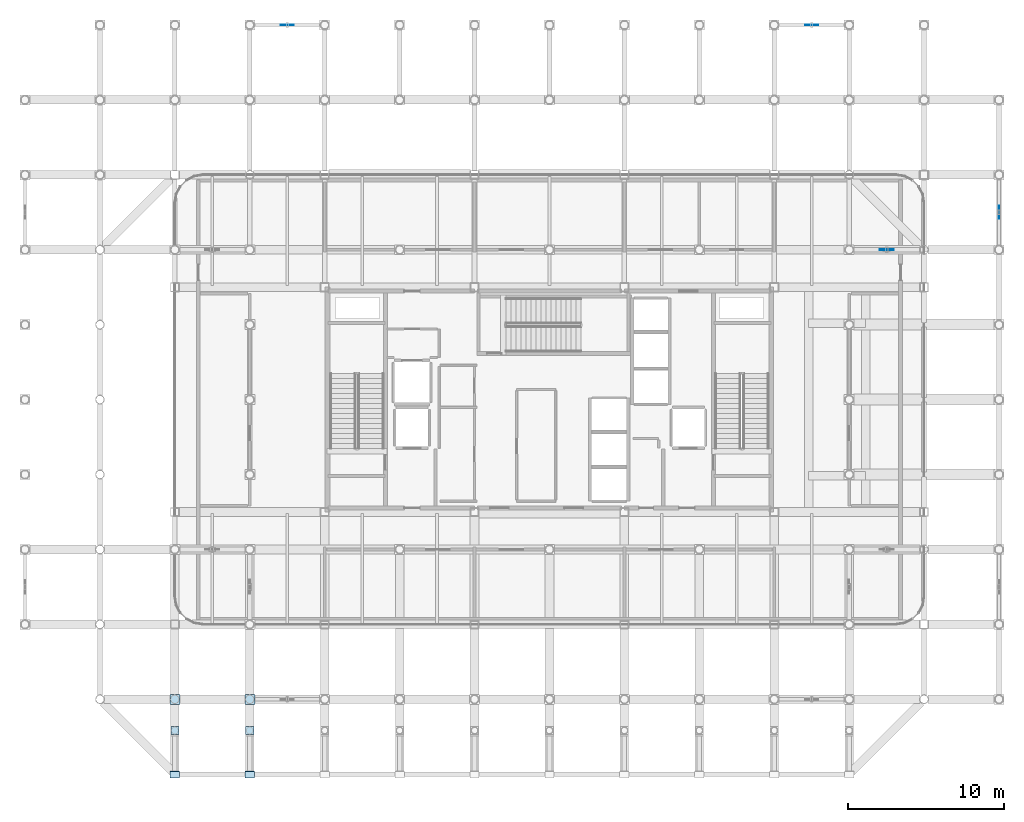
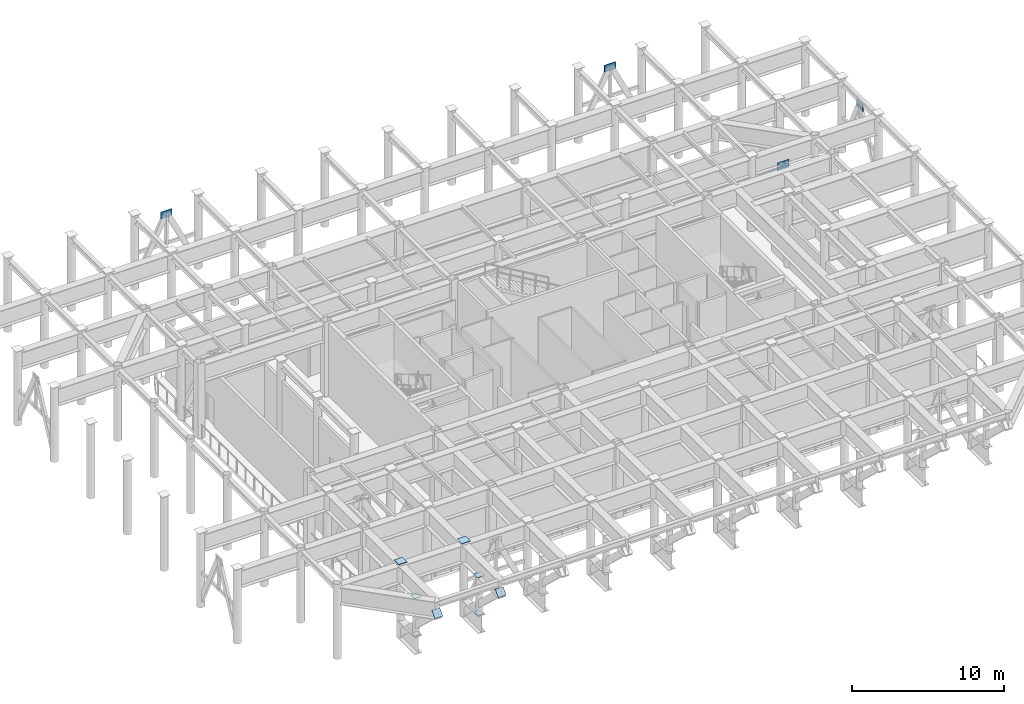
# One storey, part 12 of 20: 12 plates.
"""IFC4 building model written with IfcOpenShell, lengths in metres."""

from ifc_helpers import new_model, si_unit, direction, frame, origin, origin_2d, place, context, subcontext, project, spatial, polyline, rectangle, outline, extrude, material, layer, layer_set, type_object, element, save


model = new_model("IFC4")

# Units and contexts
model_context = context("Model", 3, precision=1e-05, world=origin(), true_north=direction((0.0, 1.0)))
body_context = subcontext(model_context, "Body", "Model", "MODEL_VIEW")
ifc_project = project(units=[si_unit("LENGTHUNIT", "METRE"), si_unit("AREAUNIT", "SQUARE_METRE"), si_unit("VOLUMEUNIT", "CUBIC_METRE"), si_unit("PLANEANGLEUNIT", "RADIAN"), si_unit("MASSUNIT", "GRAM", prefix="KILO")], contexts=[model_context])

# Site, building, storey
site_placement = place(None, origin())
site = spatial("IfcSite", under=ifc_project, at=site_placement, CompositionType="ELEMENT")
building_placement = place(site_placement, origin())
building = spatial("IfcBuilding", under=site, at=building_placement, Name="Kallvorn Hotel Tower", CompositionType="ELEMENT")
storey_placement = place(building_placement, frame((0.0, 0.0, 276.199951171875)))
storey = spatial("IfcBuildingStorey", under=building, at=storey_placement, Name="L69", CompositionType="ELEMENT", Elevation=276.199951171875)

# Plates
ifc_material_1 = material(Name="Structural steel S355JR", Category="steel")
ifc_layer_1 = layer(ifc_material_1, 0.030029296875)
ifc_layer_set_1 = layer_set([ifc_layer_1], Name="PLT_CAP_30")
plate_type_1 = type_object("IfcPlateType", Name="PLT_CAP_30", PredefinedType="SHEET", material=ifc_layer_set_1)
for number, where, z_axis, x_axis, name in (
    (1, (-24.0, -19.199951171875, 6.0), (0.0, 0.0, 1.0), (1.0, 0.0, 0.0), "L69 Hollow Column Top End Cap Plate 0298"),
    (2, (-19.199951171875, -19.199951171875, 6.0), (0.0, 0.0, 1.0), (1.0, 0.0, 0.0), "L69 Hollow Column Top End Cap Plate 0303"),
):
    element("IfcPlate", number, at=place(storey_placement, frame(where, z_axis=z_axis, x_axis=x_axis)), inside=storey, type_object=plate_type_1, Name=name, PredefinedType="SHEET", context=body_context, shape_type="SweptSolid", body=[
        extrude(rectangle(XDim=0.638916015625, YDim=0.638916015625, at=origin_2d()), origin(), (0.0, 0.0, 1.0), 0.030029296875),
    ])
for number, where, z_axis, x_axis, name in (
    (3, (-24.0, -21.199951171875, 1.3701171875), (0.0, 0.0, 1.0), (1.0, 0.0, 0.0), "L69 Prop Column End Cap Plate 01B"),
    (4, (-24.0, -21.199951171875, 4.419921875), (0.0, 0.0, 1.0), (1.0, 0.0, 0.0), "L69 Prop Column End Cap Plate 01T"),
):
    element("IfcPlate", number, at=place(storey_placement, frame(where, z_axis=z_axis, x_axis=x_axis)), inside=storey, type_object=plate_type_1, Name=name, PredefinedType="SHEET", context=body_context, shape_type="SweptSolid", body=[
        extrude(rectangle(XDim=0.52001953125, YDim=0.52001953125, at=origin_2d()), origin(), (0.0, 0.0, 1.0), 0.030029296875),
    ])
plate_1_placement = place(storey_placement, frame((-24.300048828125, -24.22705078125, 4.5517578125), z_axis=(0.0, -0.729524515646, 0.683954663023), x_axis=(1.0, 0.0, 0.0)))
element("IfcPlate", 5, at=plate_1_placement, inside=storey, type_object=plate_type_1, Name="L69 Cantilever Strut Node Cap 01", PredefinedType="SHEET", context=body_context, shape_type="SweptSolid", body=[
    extrude(outline(polyline([(0.0, 0.0), (0.60009765625, 0.0), (0.60009765625, 0.6000403430409262), (0.0, 0.6000403430409262), (0.0, 0.0)])), origin(), (0.0, 0.0, -1.0), 0.030029296875),
])
for number, where, z_axis, x_axis, name in (
    (6, (-19.199951171875, -21.199951171875, 1.3701171875), (0.0, 0.0, 1.0), (1.0, 0.0, 0.0), "L69 Prop Column End Cap Plate 02B"),
    (7, (-19.199951171875, -21.199951171875, 4.419921875), (0.0, 0.0, 1.0), (1.0, 0.0, 0.0), "L69 Prop Column End Cap Plate 02T"),
):
    element("IfcPlate", number, at=place(storey_placement, frame(where, z_axis=z_axis, x_axis=x_axis)), inside=storey, type_object=plate_type_1, Name=name, PredefinedType="SHEET", context=body_context, shape_type="SweptSolid", body=[
        extrude(rectangle(XDim=0.52001953125, YDim=0.52001953125, at=origin_2d()), origin(), (0.0, 0.0, 1.0), 0.030029296875),
    ])
plate_2_placement = place(storey_placement, frame((-19.5, -24.22705078125, 4.5517578125), z_axis=(0.0, -0.729524515646, 0.683954663023), x_axis=(1.0, 0.0, 0.0)))
element("IfcPlate", 8, at=plate_2_placement, inside=storey, type_object=plate_type_1, Name="L69 Cantilever Strut Node Cap 02", PredefinedType="SHEET", context=body_context, shape_type="SweptSolid", body=[
    extrude(outline(polyline([(0.0, 0.0), (0.60009765625, 0.0), (0.60009765625, 0.6000403430409262), (0.0, 0.6000403430409262), (0.0, 0.0)])), origin(), (0.0, 0.0, -1.0), 0.030029296875),
])
ifc_material_2 = material(Name="Structural steel S355JR", Category="steel")
ifc_layer_2 = layer(ifc_material_2, 0.0400390625)
ifc_layer_set_2 = layer_set([ifc_layer_2], Name="PLT_GUSSET_40")
plate_type_2 = type_object("IfcPlateType", Name="PLT_GUSSET_40", PredefinedType="USERDEFINED", material=ifc_layer_set_2)
plate_3_placement = place(storey_placement, frame((21.60009765625, 9.60009765625, 3.97509765625), z_axis=(0.0, 0.0, 1.0), x_axis=(1.0, 0.0, 0.0)))
element("IfcPlate", 9, at=plate_3_placement, inside=storey, type_object=plate_type_2, Name="L69 Outrigger Node Gusset Plate OTE2", ObjectType="GUSSET PLATE", PredefinedType="USERDEFINED", context=body_context, shape_type="SweptSolid", body=[
    extrude(rectangle(XDim=0.89990234375, YDim=0.0400390625, at=origin_2d()), origin(), (0.0, 0.0, 1.0), 0.64990234375),
])
for number, where, z_axis, x_axis, name in (
    (10, (-16.800048828125, 24.0, 4.8251953125), (0.0, 0.0, 1.0), (1.0, 0.0, 0.0), "L69 Belt Truss Gusset Plate 3"),
    (11, (16.800048828125, 24.0, 4.8251953125), (0.0, 0.0, 1.0), (1.0, 0.0, 0.0), "L69 Belt Truss Gusset Plate 4"),
    (12, (28.800048828125, 12.0, 4.8251953125), (0.0, 0.0, 1.0), (0.0, 1.0, 0.0), "L69 Belt Truss Gusset Plate 8"),
):
    element("IfcPlate", number, at=place(storey_placement, frame(where, z_axis=z_axis, x_axis=x_axis)), inside=storey, type_object=plate_type_2, Name=name, ObjectType="GUSSET PLATE", PredefinedType="USERDEFINED", context=body_context, shape_type="SweptSolid", body=[
        extrude(rectangle(XDim=0.85009765625, YDim=0.0400390625, at=origin_2d()), origin(), (0.0, 0.0, 1.0), 0.550048828125),
    ])

save(model, "model.ifc")
